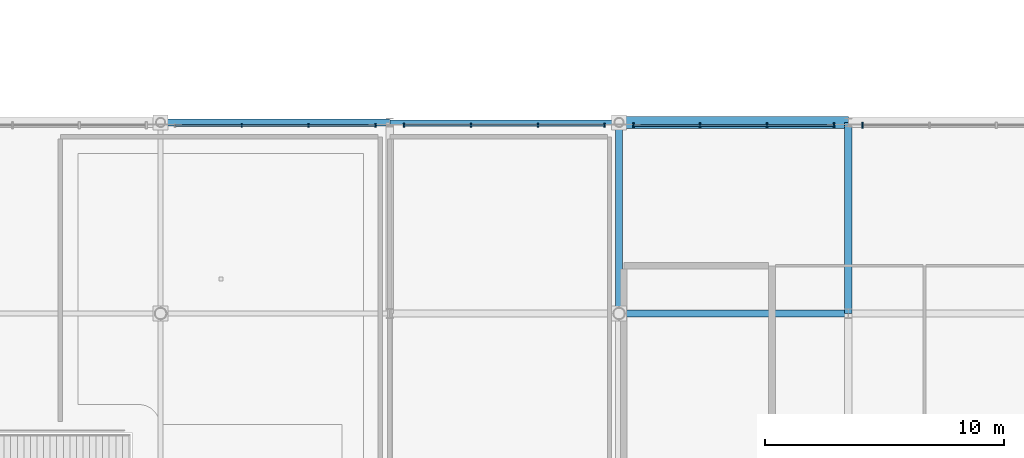
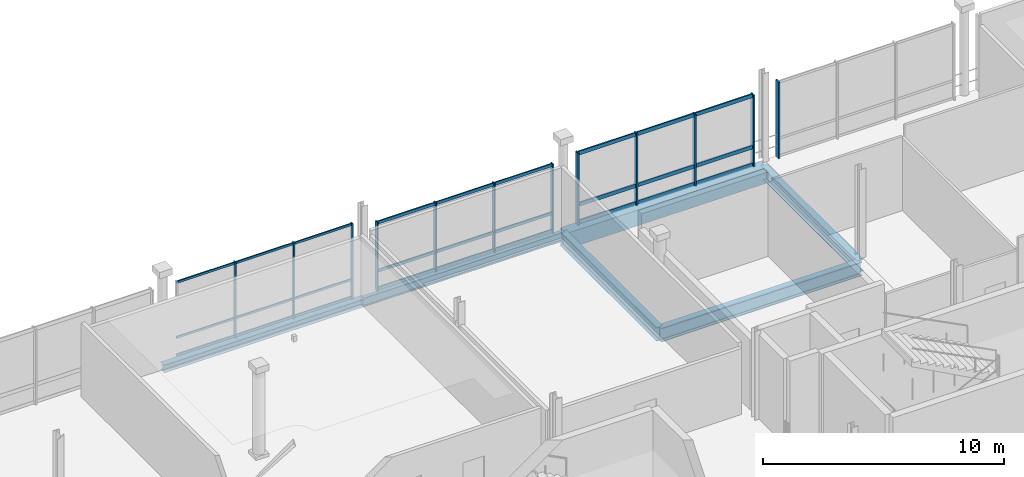
# One storey, part 19 of 59: 21 members, 6 beams, 4 elements without a shape of their own.
"""IFC4 building model written with IfcOpenShell, lengths in metres."""

from ifc_helpers import new_model, si_unit, direction, frame, origin, origin_2d, place, context, subcontext, project, spatial, rectangle, i_section, extrude, material, material_profile, profile_set, type_object, element, aggregate, save


model = new_model("IFC4")

# Units and contexts
model_context = context("Model", 3, precision=1e-05, world=origin(), true_north=direction((0.0, 1.0)))
body_context = subcontext(model_context, "Body", "Model", "MODEL_VIEW")
ifc_project = project(units=[si_unit("LENGTHUNIT", "METRE"), si_unit("AREAUNIT", "SQUARE_METRE"), si_unit("VOLUMEUNIT", "CUBIC_METRE"), si_unit("PLANEANGLEUNIT", "RADIAN"), si_unit("MASSUNIT", "GRAM", prefix="KILO")], contexts=[model_context])

# Site, building, storey
site_placement = place(None, origin())
site = spatial("IfcSite", under=ifc_project, at=site_placement, CompositionType="ELEMENT")
building_placement = place(site_placement, origin())
building = spatial("IfcBuilding", under=site, at=building_placement, Name="Danafjord Basin Convention Centre", CompositionType="ELEMENT")
storey_placement = place(building_placement, frame((0.0, 0.0, 15.89990234375)))
storey = spatial("IfcBuildingStorey", under=building, at=storey_placement, Name="L03", CompositionType="ELEMENT", Elevation=15.89990234375)

# Beams
ifc_material_1 = material(Name="Steel S355", Category="steel")
ifc_material_profile_1 = material_profile(ifc_material_1, i_section(OverallWidth=0.300048828125, OverallDepth=0.60009765625, WebThickness=0.015380859375, FlangeThickness=0.030029296875, FilletRadius=0.027099609375, at=origin_2d()), Name="HEB 600")
ifc_profile_set_1 = profile_set([ifc_material_profile_1], Name="Steel S355")
beam_type_1 = type_object("IfcBeamType", Name="BEAM-BM-HEB600", PredefinedType="BEAM", material=ifc_profile_set_1)
beam_1_placement = place(storey_placement, frame((57.60009765625, 32.0, -0.52978515625), z_axis=(0.0, 1.0, 0.0), x_axis=(-1.0, 0.0, 0.0)))
element("IfcBeam", 1, at=beam_1_placement, inside=storey, type_object=beam_type_1, Name="L03 transverse girder BM-HEB600", PredefinedType="BEAM", context=body_context, shape_type="SweptSolid", body=[
    extrude(i_section(OverallWidth=0.300048828125, OverallDepth=0.60009765625, WebThickness=0.015380859375, FlangeThickness=0.030029296875, FilletRadius=0.027099609375, at=origin_2d()), origin(), (0.0, 0.0, 1.0), 8.0),
])
ifc_material_profile_2 = material_profile(ifc_material_1, i_section(OverallWidth=0.300048828125, OverallDepth=0.699951171875, WebThickness=0.01708984375, FlangeThickness=0.031982421875, FilletRadius=0.027099609375, at=origin_2d()), Name="HEB 700")
ifc_profile_set_2 = profile_set([ifc_material_profile_2], Name="Steel S355")
beam_type_2 = type_object("IfcBeamType", Name="BEAM-BM-HEB700", PredefinedType="BEAM", material=ifc_profile_set_2)
beam_2_placement = place(storey_placement, frame((48.0, 32.0, -0.579833984375), z_axis=(1.0, 0.0, 0.0), x_axis=(0.0, 1.0, 0.0)))
element("IfcBeam", 2, at=beam_2_placement, inside=storey, type_object=beam_type_2, Name="L03 girder BM-HEB700", PredefinedType="BEAM", context=body_context, shape_type="SweptSolid", body=[
    extrude(i_section(OverallWidth=0.300048828125, OverallDepth=0.699951171875, WebThickness=0.01708984375, FlangeThickness=0.031982421875, FilletRadius=0.027099609375, at=origin_2d()), origin(), (0.0, 0.0, 1.0), 9.60009765625),
])
beam_3_placement = place(storey_placement, frame((48.0, 32.0, -0.579833984375), z_axis=(0.0, 1.0, 0.0), x_axis=(-1.0, 0.0, 0.0)))
element("IfcBeam", 3, at=beam_3_placement, inside=storey, type_object=beam_type_2, Name="L03 transverse girder BM-HEB700", PredefinedType="BEAM", context=body_context, shape_type="SweptSolid", body=[
    extrude(i_section(OverallWidth=0.300048828125, OverallDepth=0.699951171875, WebThickness=0.01708984375, FlangeThickness=0.031982421875, FilletRadius=0.027099609375, at=origin_2d()), origin(), (0.0, 0.0, 1.0), 8.0),
])
ifc_material_profile_3 = material_profile(ifc_material_1, i_section(OverallWidth=0.300048828125, OverallDepth=0.39990234375, WebThickness=0.013427734375, FlangeThickness=0.02392578125, FilletRadius=0.027099609375, at=origin_2d()), Name="HEB 400")
ifc_profile_set_3 = profile_set([ifc_material_profile_3], Name="Steel S355")
beam_type_3 = type_object("IfcBeamType", Name="BEAM-SP-HEB400", PredefinedType="SPANDREL", material=ifc_profile_set_3)
beam_4_placement = place(storey_placement, frame((28.800048828125, 40.0, -0.429931640625), z_axis=(1.0, 0.0, 0.0), x_axis=(0.0, 1.0, 0.0)))
element("IfcBeam", 4, at=beam_4_placement, inside=storey, type_object=beam_type_3, Name="L03 girder SP-HEB400", PredefinedType="SPANDREL", context=body_context, shape_type="SweptSolid", body=[
    extrude(i_section(OverallWidth=0.300048828125, OverallDepth=0.39990234375, WebThickness=0.013427734375, FlangeThickness=0.02392578125, FilletRadius=0.027099609375, at=origin_2d()), origin(), (0.0, 0.0, 1.0), 9.599853515625),
])
ifc_material_profile_4 = material_profile(ifc_material_1, i_section(OverallWidth=0.18994140625, OverallDepth=0.449951171875, WebThickness=0.009521484375, FlangeThickness=0.0146484375, FilletRadius=0.02099609375, at=origin_2d()), Name="IPE 450")
ifc_profile_set_4 = profile_set([ifc_material_profile_4], Name="Steel S355")
beam_type_4 = type_object("IfcBeamType", Name="BEAM-SP-IPE450", PredefinedType="SPANDREL", material=ifc_profile_set_4)
beam_5_placement = place(storey_placement, frame((38.39990234375, 40.0, -0.454833984375), z_axis=(1.0, 0.0, 0.0), x_axis=(0.0, 1.0, 0.0)))
element("IfcBeam", 5, at=beam_5_placement, inside=storey, type_object=beam_type_4, Name="L03 girder SP-IPE450", PredefinedType="SPANDREL", context=body_context, shape_type="SweptSolid", body=[
    extrude(i_section(OverallWidth=0.18994140625, OverallDepth=0.449951171875, WebThickness=0.009521484375, FlangeThickness=0.0146484375, FilletRadius=0.02099609375, at=origin_2d()), origin(), (0.0, 0.0, 1.0), 9.60009765625),
])
ifc_material_2 = material(Name="Precast concrete C45/55", Category="concrete")
ifc_material_profile_5 = material_profile(ifc_material_2, rectangle(XDim=0.5, YDim=0.800048828125, at=origin_2d()), Name="PCB 500x800")
ifc_profile_set_5 = profile_set([ifc_material_profile_5], Name="Precast concrete C45/55")
beam_type_5 = type_object("IfcBeamType", Name="BEAM-SP-PCB800", PredefinedType="SPANDREL", material=ifc_profile_set_5)
beam_6_placement = place(storey_placement, frame((48.0, 40.0, -0.6298828125), z_axis=(1.0, 0.0, 0.0), x_axis=(0.0, 1.0, 0.0)))
element("IfcBeam", 6, at=beam_6_placement, inside=storey, type_object=beam_type_5, Name="L03 girder SP-PCB800", PredefinedType="SPANDREL", context=body_context, shape_type="SweptSolid", body=[
    extrude(rectangle(XDim=0.5, YDim=0.800048828125, at=origin_2d()), origin(), (0.0, 0.0, 1.0), 9.60009765625),
])

# Curtain wall, members
ifc_material_3 = material(Name="Anodised aluminium and triple glazing", Category="aluminium")
curtain_wall_type = type_object("IfcCurtainWallType", Name="CW-CW-TERR", PredefinedType="NOTDEFINED", material=ifc_material_3)
curtain_wall_1_placement = place(storey_placement, origin())
curtain_wall_1 = element("IfcCurtainWall", 7, at=curtain_wall_1_placement, inside=storey, type_object=curtain_wall_type, Name="L03 CW-TERR unitised curtain wall bay 75", PredefinedType="NOTDEFINED")
ifc_material_4 = material(Name="Anodised aluminium EN AW-6060", Category="aluminium")
ifc_material_profile_6 = material_profile(ifc_material_4, rectangle(XDim=0.06005859375, YDim=0.139892578125, at=origin_2d()), Name="MULL 60x140")
ifc_profile_set_6 = profile_set([ifc_material_profile_6], Name="Anodised aluminium EN AW-6060")
member_type_1 = type_object("IfcMemberType", Name="MEM-ML-140", PredefinedType="MULLION", material=ifc_profile_set_6)
member_1_placement = place(storey_placement, frame((37.800048828125, 39.8798828125, -0.02490234375), z_axis=(0.0, 0.0, 1.0), x_axis=(-1.0, 0.0, 0.0)))
member_1 = element("IfcMember", 8, at=member_1_placement, type_object=member_type_1, Name="CW-L03-075 mullion 1", PredefinedType="MULLION", context=body_context, shape_type="SweptSolid", body=[
    extrude(rectangle(XDim=0.06005859375, YDim=0.139892578125, at=origin_2d()), origin(), (0.0, 0.0, 1.0), 3.841064453125),
])
member_2_placement = place(storey_placement, frame((35.0, 39.8798828125, -0.02490234375), z_axis=(0.0, 0.0, 1.0), x_axis=(-1.0, 0.0, 0.0)))
member_2 = element("IfcMember", 9, at=member_2_placement, type_object=member_type_1, Name="CW-L03-075 mullion 2", PredefinedType="MULLION", context=body_context, shape_type="SweptSolid", body=[
    extrude(rectangle(XDim=0.06005859375, YDim=0.139892578125, at=origin_2d()), origin(), (0.0, 0.0, 1.0), 3.841064453125),
])
member_3_placement = place(storey_placement, frame((32.199951171875, 39.8798828125, -0.02490234375), z_axis=(0.0, 0.0, 1.0), x_axis=(-1.0, 0.0, 0.0)))
member_3 = element("IfcMember", 10, at=member_3_placement, type_object=member_type_1, Name="CW-L03-075 mullion 3", PredefinedType="MULLION", context=body_context, shape_type="SweptSolid", body=[
    extrude(rectangle(XDim=0.06005859375, YDim=0.139892578125, at=origin_2d()), origin(), (0.0, 0.0, 1.0), 3.841064453125),
])

curtain_wall_2_placement = place(storey_placement, origin())
curtain_wall_2 = element("IfcCurtainWall", 11, at=curtain_wall_2_placement, inside=storey, type_object=curtain_wall_type, Name="L03 CW-TERR unitised curtain wall bay 76", PredefinedType="NOTDEFINED")
ifc_material_profile_7 = material_profile(ifc_material_4, rectangle(XDim=0.06005859375, YDim=0.179931640625, at=origin_2d()), Name="MULL 60x180")
ifc_profile_set_7 = profile_set([ifc_material_profile_7], Name="Anodised aluminium EN AW-6060")
member_type_2 = type_object("IfcMemberType", Name="MEM-ML-180", PredefinedType="MULLION", material=ifc_profile_set_7)
member_4_placement = place(storey_placement, frame((47.39990234375, 39.8798828125, -0.02490234375), z_axis=(0.0, 0.0, 1.0), x_axis=(-1.0, 0.0, 0.0)))
member_4 = element("IfcMember", 12, at=member_4_placement, type_object=member_type_2, Name="CW-L03-076 mullion 1", PredefinedType="MULLION", context=body_context, shape_type="SweptSolid", body=[
    extrude(rectangle(XDim=0.06005859375, YDim=0.179931640625, at=origin_2d()), origin(), (0.0, 0.0, 1.0), 3.490966796875),
])
member_5_placement = place(storey_placement, frame((44.60009765625, 39.8798828125, -0.02490234375), z_axis=(0.0, 0.0, 1.0), x_axis=(-1.0, 0.0, 0.0)))
member_5 = element("IfcMember", 13, at=member_5_placement, type_object=member_type_2, Name="CW-L03-076 mullion 2", PredefinedType="MULLION", context=body_context, shape_type="SweptSolid", body=[
    extrude(rectangle(XDim=0.06005859375, YDim=0.179931640625, at=origin_2d()), origin(), (0.0, 0.0, 1.0), 3.490966796875),
])
member_6_placement = place(storey_placement, frame((41.800048828125, 39.8798828125, -0.02490234375), z_axis=(0.0, 0.0, 1.0), x_axis=(-1.0, 0.0, 0.0)))
member_6 = element("IfcMember", 14, at=member_6_placement, type_object=member_type_2, Name="CW-L03-076 mullion 3", PredefinedType="MULLION", context=body_context, shape_type="SweptSolid", body=[
    extrude(rectangle(XDim=0.06005859375, YDim=0.179931640625, at=origin_2d()), origin(), (0.0, 0.0, 1.0), 3.490966796875),
])
member_7_placement = place(storey_placement, frame((39.0, 39.8798828125, -0.02490234375), z_axis=(0.0, 0.0, 1.0), x_axis=(-1.0, 0.0, 0.0)))
member_7 = element("IfcMember", 15, at=member_7_placement, type_object=member_type_2, Name="CW-L03-076 mullion 4", PredefinedType="MULLION", context=body_context, shape_type="SweptSolid", body=[
    extrude(rectangle(XDim=0.06005859375, YDim=0.179931640625, at=origin_2d()), origin(), (0.0, 0.0, 1.0), 3.490966796875),
])

curtain_wall_3_placement = place(storey_placement, origin())
curtain_wall_3 = element("IfcCurtainWall", 16, at=curtain_wall_3_placement, inside=storey, type_object=curtain_wall_type, Name="L03 CW-TERR unitised curtain wall bay 77", PredefinedType="NOTDEFINED")
ifc_material_profile_8 = material_profile(ifc_material_4, rectangle(XDim=0.06494140625, YDim=0.219970703125, at=origin_2d()), Name="MULL 65x220")
ifc_profile_set_8 = profile_set([ifc_material_profile_8], Name="Anodised aluminium EN AW-6060")
member_type_3 = type_object("IfcMemberType", Name="MEM-ML-220", PredefinedType="MULLION", material=ifc_profile_set_8)
member_8_placement = place(storey_placement, frame((57.0, 39.8798828125, -0.02490234375), z_axis=(0.0, 0.0, 1.0), x_axis=(-1.0, 0.0, 0.0)))
member_8 = element("IfcMember", 17, at=member_8_placement, type_object=member_type_3, Name="CW-L03-077 mullion 1", PredefinedType="MULLION", context=body_context, shape_type="SweptSolid", body=[
    extrude(rectangle(XDim=0.06494140625, YDim=0.219970703125, at=origin_2d()), origin(), (0.0, 0.0, 1.0), 3.64111328125),
])
member_9_placement = place(storey_placement, frame((54.199951171875, 39.8798828125, -0.02490234375), z_axis=(0.0, 0.0, 1.0), x_axis=(-1.0, 0.0, 0.0)))
member_9 = element("IfcMember", 18, at=member_9_placement, type_object=member_type_3, Name="CW-L03-077 mullion 2", PredefinedType="MULLION", context=body_context, shape_type="SweptSolid", body=[
    extrude(rectangle(XDim=0.06494140625, YDim=0.219970703125, at=origin_2d()), origin(), (0.0, 0.0, 1.0), 3.64111328125),
])
member_10_placement = place(storey_placement, frame((51.39990234375, 39.8798828125, -0.02490234375), z_axis=(0.0, 0.0, 1.0), x_axis=(-1.0, 0.0, 0.0)))
member_10 = element("IfcMember", 19, at=member_10_placement, type_object=member_type_3, Name="CW-L03-077 mullion 3", PredefinedType="MULLION", context=body_context, shape_type="SweptSolid", body=[
    extrude(rectangle(XDim=0.06494140625, YDim=0.219970703125, at=origin_2d()), origin(), (0.0, 0.0, 1.0), 3.64111328125),
])
member_11_placement = place(storey_placement, frame((48.60009765625, 39.8798828125, -0.02490234375), z_axis=(0.0, 0.0, 1.0), x_axis=(-1.0, 0.0, 0.0)))
member_11 = element("IfcMember", 20, at=member_11_placement, type_object=member_type_3, Name="CW-L03-077 mullion 4", PredefinedType="MULLION", context=body_context, shape_type="SweptSolid", body=[
    extrude(rectangle(XDim=0.06494140625, YDim=0.219970703125, at=origin_2d()), origin(), (0.0, 0.0, 1.0), 3.64111328125),
])

# Curtain wall, member
curtain_wall_4_placement = place(storey_placement, origin())
curtain_wall_4 = element("IfcCurtainWall", 21, at=curtain_wall_4_placement, inside=storey, type_object=curtain_wall_type, Name="L03 CW-TERR unitised curtain wall bay 78", PredefinedType="NOTDEFINED")
ifc_material_profile_9 = material_profile(ifc_material_4, rectangle(XDim=0.070068359375, YDim=0.260009765625, at=origin_2d()), Name="MULL 70x260")
ifc_profile_set_9 = profile_set([ifc_material_profile_9], Name="Anodised aluminium EN AW-6060")
member_type_4 = type_object("IfcMemberType", Name="MEM-ML-260", PredefinedType="MULLION", material=ifc_profile_set_9)
member_12_placement = place(storey_placement, frame((58.199951171875, 39.8798828125, -0.02490234375), z_axis=(0.0, 0.0, 1.0), x_axis=(-1.0, 0.0, 0.0)))
member_12 = element("IfcMember", 22, at=member_12_placement, type_object=member_type_4, Name="CW-L03-078 mullion 4", PredefinedType="MULLION", context=body_context, shape_type="SweptSolid", body=[
    extrude(rectangle(XDim=0.070068359375, YDim=0.260009765625, at=origin_2d()), origin(), (0.0, 0.0, 1.0), 3.89111328125),
])
aggregate(curtain_wall_4, [member_12])

# Member
ifc_material_profile_10 = material_profile(ifc_material_4, rectangle(XDim=0.06005859375, YDim=0.110107421875, at=origin_2d()), Name="TRAN 60x110")
ifc_profile_set_10 = profile_set([ifc_material_profile_10], Name="Anodised aluminium EN AW-6060")
member_type_5 = type_object("IfcMemberType", Name="MEM-TR-110", PredefinedType="USERDEFINED", material=ifc_profile_set_10)
member_13_placement = place(storey_placement, frame((37.800048828125, 39.8798828125, 0.06005859375), z_axis=(-1.0, 0.0, 0.0), x_axis=(0.0, -1.0, 0.0)))
member_13 = element("IfcMember", 23, at=member_13_placement, type_object=member_type_5, Name="CW-L03-075 transom 1", ObjectType="TRANSOM", PredefinedType="USERDEFINED", context=body_context, shape_type="SweptSolid", body=[
    extrude(rectangle(XDim=0.06005859375, YDim=0.110107421875, at=origin_2d()), origin(), (0.0, 0.0, 1.0), 8.400146484375),
])

member_14_placement = place(storey_placement, frame((37.800048828125, 39.8798828125, 0.9501953125), z_axis=(-1.0, 0.0, 0.0), x_axis=(0.0, -1.0, 0.0)))
member_14 = element("IfcMember", 24, at=member_14_placement, type_object=member_type_5, Name="CW-L03-075 transom 2", ObjectType="TRANSOM", PredefinedType="USERDEFINED", context=body_context, shape_type="SweptSolid", body=[
    extrude(rectangle(XDim=0.06005859375, YDim=0.110107421875, at=origin_2d()), origin(), (0.0, 0.0, 1.0), 8.400146484375),
])

member_15_placement = place(storey_placement, frame((37.800048828125, 39.8798828125, 3.74609375), z_axis=(-1.0, 0.0, 0.0), x_axis=(0.0, -1.0, 0.0)))
member_15 = element("IfcMember", 25, at=member_15_placement, type_object=member_type_5, Name="CW-L03-075 transom 3", ObjectType="TRANSOM", PredefinedType="USERDEFINED", context=body_context, shape_type="SweptSolid", body=[
    extrude(rectangle(XDim=0.06005859375, YDim=0.110107421875, at=origin_2d()), origin(), (0.0, 0.0, 1.0), 8.400146484375),
])

aggregate(curtain_wall_1, [member_1, member_2, member_3, member_13, member_14, member_15])

ifc_material_profile_11 = material_profile(ifc_material_4, rectangle(XDim=0.06005859375, YDim=0.14990234375, at=origin_2d()), Name="TRAN 60x150")
ifc_profile_set_11 = profile_set([ifc_material_profile_11], Name="Anodised aluminium EN AW-6060")
member_type_6 = type_object("IfcMemberType", Name="MEM-TR-150", PredefinedType="USERDEFINED", material=ifc_profile_set_11)
member_16_placement = place(storey_placement, frame((47.39990234375, 39.8798828125, 0.06005859375), z_axis=(-1.0, 0.0, 0.0), x_axis=(0.0, -1.0, 0.0)))
member_16 = element("IfcMember", 26, at=member_16_placement, type_object=member_type_6, Name="CW-L03-076 transom 1", ObjectType="TRANSOM", PredefinedType="USERDEFINED", context=body_context, shape_type="SweptSolid", body=[
    extrude(rectangle(XDim=0.06005859375, YDim=0.14990234375, at=origin_2d()), origin(), (0.0, 0.0, 1.0), 8.39990234375),
])

member_17_placement = place(storey_placement, frame((47.39990234375, 39.8798828125, 0.9501953125), z_axis=(-1.0, 0.0, 0.0), x_axis=(0.0, -1.0, 0.0)))
member_17 = element("IfcMember", 27, at=member_17_placement, type_object=member_type_6, Name="CW-L03-076 transom 2", ObjectType="TRANSOM", PredefinedType="USERDEFINED", context=body_context, shape_type="SweptSolid", body=[
    extrude(rectangle(XDim=0.06005859375, YDim=0.14990234375, at=origin_2d()), origin(), (0.0, 0.0, 1.0), 8.39990234375),
])

member_18_placement = place(storey_placement, frame((47.39990234375, 39.8798828125, 3.39599609375), z_axis=(-1.0, 0.0, 0.0), x_axis=(0.0, -1.0, 0.0)))
member_18 = element("IfcMember", 28, at=member_18_placement, type_object=member_type_6, Name="CW-L03-076 transom 3", ObjectType="TRANSOM", PredefinedType="USERDEFINED", context=body_context, shape_type="SweptSolid", body=[
    extrude(rectangle(XDim=0.06005859375, YDim=0.14990234375, at=origin_2d()), origin(), (0.0, 0.0, 1.0), 8.39990234375),
])

aggregate(curtain_wall_2, [member_4, member_5, member_6, member_7, member_16, member_17, member_18])

ifc_material_profile_12 = material_profile(ifc_material_4, rectangle(XDim=0.06494140625, YDim=0.18994140625, at=origin_2d()), Name="TRAN 65x190")
ifc_profile_set_12 = profile_set([ifc_material_profile_12], Name="Anodised aluminium EN AW-6060")
member_type_7 = type_object("IfcMemberType", Name="MEM-TR-190", PredefinedType="USERDEFINED", material=ifc_profile_set_12)
member_19_placement = place(storey_placement, frame((57.0, 39.8798828125, 0.06005859375), z_axis=(-1.0, 0.0, 0.0), x_axis=(0.0, -1.0, 0.0)))
member_19 = element("IfcMember", 29, at=member_19_placement, type_object=member_type_7, Name="CW-L03-077 transom 1", ObjectType="TRANSOM", PredefinedType="USERDEFINED", context=body_context, shape_type="SweptSolid", body=[
    extrude(rectangle(XDim=0.06494140625, YDim=0.18994140625, at=origin_2d()), origin(), (0.0, 0.0, 1.0), 8.39990234375),
])

member_20_placement = place(storey_placement, frame((57.0, 39.8798828125, 0.9501953125), z_axis=(-1.0, 0.0, 0.0), x_axis=(0.0, -1.0, 0.0)))
member_20 = element("IfcMember", 30, at=member_20_placement, type_object=member_type_7, Name="CW-L03-077 transom 2", ObjectType="TRANSOM", PredefinedType="USERDEFINED", context=body_context, shape_type="SweptSolid", body=[
    extrude(rectangle(XDim=0.06494140625, YDim=0.18994140625, at=origin_2d()), origin(), (0.0, 0.0, 1.0), 8.39990234375),
])

member_21_placement = place(storey_placement, frame((57.0, 39.8798828125, 3.546142578125), z_axis=(-1.0, 0.0, 0.0), x_axis=(0.0, -1.0, 0.0)))
member_21 = element("IfcMember", 31, at=member_21_placement, type_object=member_type_7, Name="CW-L03-077 transom 3", ObjectType="TRANSOM", PredefinedType="USERDEFINED", context=body_context, shape_type="SweptSolid", body=[
    extrude(rectangle(XDim=0.06494140625, YDim=0.18994140625, at=origin_2d()), origin(), (0.0, 0.0, 1.0), 8.39990234375),
])

aggregate(curtain_wall_3, [member_8, member_9, member_10, member_11, member_19, member_20, member_21])

save(model, "model.ifc")
